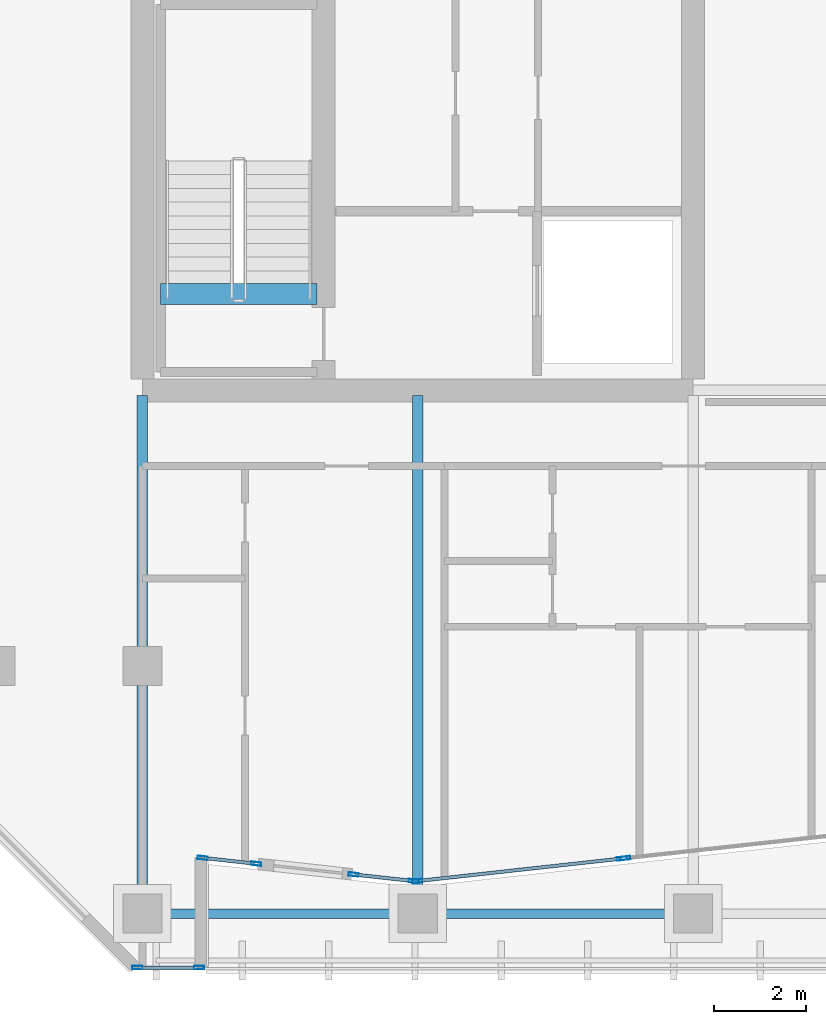
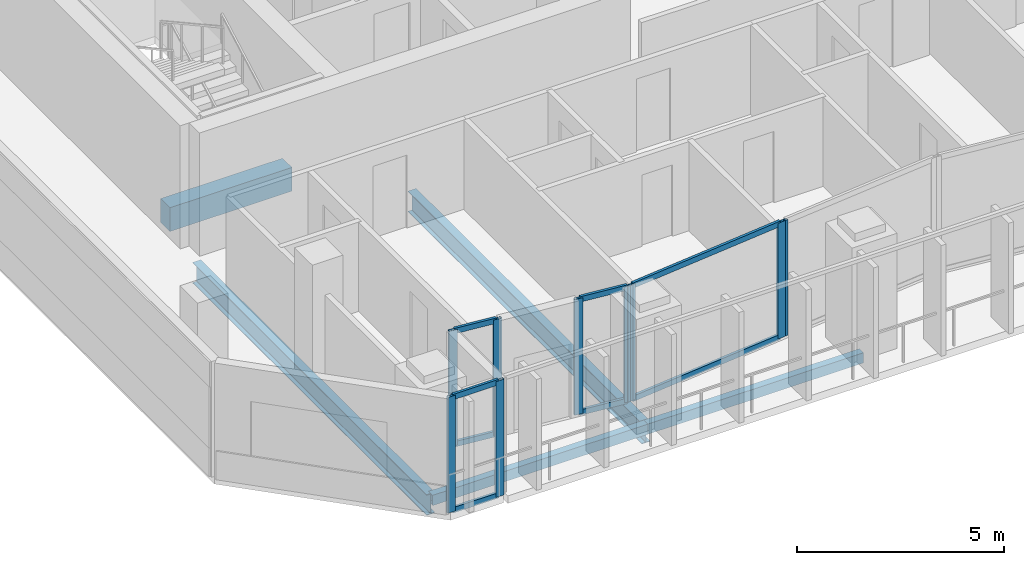
# One storey, part 2 of 28: 17 members, 5 beams, 5 elements without a shape of their own.
"""IFC4 building model written with IfcOpenShell, lengths in metres."""

from ifc_helpers import new_model, si_unit, direction, frame, origin, origin_2d, place, context, subcontext, project, spatial, rectangle, hollow_rectangle, i_section, extrude, material, layer, layer_set, material_profile, profile_set, type_object, element, aggregate, save


model = new_model("IFC4")

# Units and contexts
model_context = context("Model", 3, precision=1e-05, world=origin(), true_north=direction((0.0, 1.0)))
body_context = subcontext(model_context, "Body", "Model", "MODEL_VIEW")
ifc_project = project(units=[si_unit("LENGTHUNIT", "METRE"), si_unit("AREAUNIT", "SQUARE_METRE"), si_unit("VOLUMEUNIT", "CUBIC_METRE"), si_unit("PLANEANGLEUNIT", "RADIAN"), si_unit("MASSUNIT", "GRAM", prefix="KILO")], contexts=[model_context])

# Site, building, storey
site_placement = place(None, origin())
site = spatial("IfcSite", under=ifc_project, at=site_placement, CompositionType="ELEMENT")
building_placement = place(site_placement, origin())
building = spatial("IfcBuilding", under=site, at=building_placement, Name="Tanjung Sevakor Pilgrim Tower", CompositionType="ELEMENT")
storey_placement = place(building_placement, frame((0.0, 0.0, 158.39990234375)))
storey = spatial("IfcBuildingStorey", under=building, at=storey_placement, Name="L44", CompositionType="ELEMENT", Elevation=158.39990234375)

# Beams
ifc_material_1 = material(Name="Steel S355J2", Category="steel")
ifc_material_profile_1 = material_profile(ifc_material_1, i_section(OverallWidth=0.22900390625, OverallDepth=0.6123046875, WebThickness=0.011962890625, FlangeThickness=0.01953125, FilletRadius=0.0126953125, at=origin_2d()))
ifc_profile_set_1 = profile_set([ifc_material_profile_1], Name="Steel S355J2")
beam_type_1 = type_object("IfcBeamType", Name="BM-B-G4-UB_610x229x125", PredefinedType="BEAM", material=ifc_profile_set_1)
for number, where, z_axis, x_axis, name in (
    (1, (24.0, 13.199951171875, -0.526123046875), (0.0, 1.0, 0.0), (-1.0, 0.0, 0.0), "L44 MAIN Girder 001"),
    (2, (30.0, 13.199951171875, -0.526123046875), (0.0, 1.0, 0.0), (-1.0, 0.0, 0.0), "L44 MAIN Girder 003"),
):
    element("IfcBeam", number, at=place(storey_placement, frame(where, z_axis=z_axis, x_axis=x_axis)), inside=storey, type_object=beam_type_1, Name=name, PredefinedType="BEAM", context=body_context, shape_type="SweptSolid", body=[
        extrude(i_section(OverallWidth=0.22900390625, OverallDepth=0.6123046875, WebThickness=0.011962890625, FlangeThickness=0.01953125, FilletRadius=0.0126953125, at=origin_2d()), origin(), (0.0, 0.0, 1.0), 11.284912109375),
    ])
ifc_material_2 = material(Name="Concrete C60/75", Category="concrete")
ifc_material_profile_2 = material_profile(ifc_material_2, rectangle(XDim=0.449951171875, YDim=0.699951171875, at=origin_2d()))
ifc_profile_set_2 = profile_set([ifc_material_profile_2], Name="Concrete C60/75")
beam_type_2 = type_object("IfcBeamType", Name="BM-B-LN3-RC-BM_450x700", PredefinedType="LINTEL", material=ifc_profile_set_2)
beam_placement = place(storey_placement, frame((24.39990234375, 26.699951171875, -0.349853515625), z_axis=(1.0, 0.0, 0.0), x_axis=(0.0, 1.0, 0.0)))
element("IfcBeam", 3, at=beam_placement, inside=storey, type_object=beam_type_2, Name="L44 TS-W1 Stair Threshold Beam", PredefinedType="LINTEL", context=body_context, shape_type="SweptSolid", body=[
    extrude(rectangle(XDim=0.449951171875, YDim=0.699951171875, at=origin_2d()), origin(), (0.0, 0.0, 1.0), 3.400146484375),
])
ifc_material_3 = material(Name="Steel S355J2", Category="steel")
ifc_material_profile_3 = material_profile(ifc_material_3, hollow_rectangle(XDim=0.199951171875, YDim=0.300048828125, WallThickness=0.012451171875, at=origin_2d()))
ifc_profile_set_3 = profile_set([ifc_material_profile_3], Name="Steel S355J2")
beam_type_3 = type_object("IfcBeamType", Name="BM-B-SP3-RHS_300x200x12.5", PredefinedType="SPANDREL", material=ifc_profile_set_3)
for number, where, z_axis, x_axis, name in (
    (4, (24.0, 13.199951171875, -0.369873046875), (1.0, 0.0, 0.0), (0.0, 1.0, 0.0), "L44 Spandrel MAIN S-01"),
    (5, (30.0, 13.199951171875, -0.369873046875), (1.0, 0.0, 0.0), (0.0, 1.0, 0.0), "L44 Spandrel MAIN S-03"),
):
    element("IfcBeam", number, at=place(storey_placement, frame(where, z_axis=z_axis, x_axis=x_axis)), inside=storey, type_object=beam_type_3, Name=name, PredefinedType="SPANDREL", context=body_context, shape_type="SweptSolid", body=[
        extrude(hollow_rectangle(XDim=0.199951171875, YDim=0.300048828125, WallThickness=0.012451171875, at=origin_2d()), origin(), (0.0, 0.0, 1.0), 6.0),
    ])

# Curtain wall, members
ifc_material_4 = material(Name="Aluminium 6063-T6 and Low-E Glass", Category="aluminium")
ifc_layer = layer(ifc_material_4, 0.199951171875)
ifc_layer_set = layer_set([ifc_layer], Name="CW-SYS-PRAY")
curtain_wall_type = type_object("IfcCurtainWallType", Name="CW-SYS-PRAY", PredefinedType="NOTDEFINED", material=ifc_layer_set)
curtain_wall_1_placement = place(storey_placement, origin())
curtain_wall_1 = element("IfcCurtainWall", 6, at=curtain_wall_1_placement, inside=storey, type_object=curtain_wall_type, Name="L44 Curtain Wall CW-PRY-L44-0", PredefinedType="NOTDEFINED")
ifc_material_5 = material(Name="Aluminium 6063-T6", Category="aluminium")
ifc_material_profile_4 = material_profile(ifc_material_5, hollow_rectangle(XDim=0.074951171875, YDim=0.219970703125, WallThickness=0.0048828125, at=origin_2d()))
ifc_profile_set_4 = profile_set([ifc_material_profile_4], Name="Aluminium 6063-T6")
member_type_1 = type_object("IfcMemberType", Name="TYPE-CWM-2", PredefinedType="MULLION", material=ifc_profile_set_4)
member_1_placement = place(storey_placement, frame((23.889404296875, 12.02490234375, 0.0), z_axis=(0.0, 0.0, 1.0), x_axis=(0.0, 1.0, 0.0)))
member_1 = element("IfcMember", 7, at=member_1_placement, type_object=member_type_1, Name="CW-PRY mullion 1", PredefinedType="MULLION", context=body_context, shape_type="SweptSolid", body=[
    extrude(hollow_rectangle(XDim=0.074951171875, YDim=0.219970703125, WallThickness=0.0048828125, at=origin_2d()), origin(), (0.0, 0.0, 1.0), 3.41015625),
])
member_2_placement = place(storey_placement, frame((25.237548828125, 12.02490234375, 0.0), z_axis=(0.0, 0.0, 1.0), x_axis=(0.0, 1.0, 0.0)))
member_2 = element("IfcMember", 8, at=member_2_placement, type_object=member_type_1, Name="CW-PRY mullion 2", PredefinedType="MULLION", context=body_context, shape_type="SweptSolid", body=[
    extrude(hollow_rectangle(XDim=0.074951171875, YDim=0.219970703125, WallThickness=0.0048828125, at=origin_2d()), origin(), (0.0, 0.0, 1.0), 3.41015625),
])

curtain_wall_2_placement = place(storey_placement, origin())
curtain_wall_2 = element("IfcCurtainWall", 9, at=curtain_wall_2_placement, inside=storey, type_object=curtain_wall_type, Name="L44 Curtain Wall CW-PRY-L44-2A", PredefinedType="NOTDEFINED")
member_3_placement = place(storey_placement, frame((25.312255859375, 14.415283203125, 0.0), z_axis=(0.0, 0.0, 1.0), x_axis=(0.109202149119, 0.994019562498, 0.0)))
member_3 = element("IfcMember", 10, at=member_3_placement, type_object=member_type_1, Name="CW-PRY mullion 1", PredefinedType="MULLION", context=body_context, shape_type="SweptSolid", body=[
    extrude(hollow_rectangle(XDim=0.074951171875, YDim=0.219970703125, WallThickness=0.0048828125, at=origin_2d()), origin(), (0.0, 0.0, 1.0), 3.41015625),
])
member_4_placement = place(storey_placement, frame((26.480224609375, 14.287109375, 0.0), z_axis=(0.0, 0.0, 1.0), x_axis=(0.109202149119, 0.994019562498, 0.0)))
member_4 = element("IfcMember", 11, at=member_4_placement, type_object=member_type_1, Name="CW-PRY mullion 2", PredefinedType="MULLION", context=body_context, shape_type="SweptSolid", body=[
    extrude(hollow_rectangle(XDim=0.074951171875, YDim=0.219970703125, WallThickness=0.0048828125, at=origin_2d()), origin(), (0.0, 0.0, 1.0), 3.41015625),
])

curtain_wall_3_placement = place(storey_placement, origin())
curtain_wall_3 = element("IfcCurtainWall", 12, at=curtain_wall_3_placement, inside=storey, type_object=curtain_wall_type, Name="L44 Curtain Wall CW-PRY-L44-2B", PredefinedType="NOTDEFINED")
member_5_placement = place(storey_placement, frame((28.6025390625, 14.053955078125, 0.0), z_axis=(0.0, 0.0, 1.0), x_axis=(0.109249698291, 0.994014337635, 0.0)))
member_5 = element("IfcMember", 13, at=member_5_placement, type_object=member_type_1, Name="CW-PRY mullion 1", PredefinedType="MULLION", context=body_context, shape_type="SweptSolid", body=[
    extrude(hollow_rectangle(XDim=0.074951171875, YDim=0.219970703125, WallThickness=0.0048828125, at=origin_2d()), origin(), (0.0, 0.0, 1.0), 3.41015625),
])
member_6_placement = place(storey_placement, frame((29.912841796875, 13.909912109375, 0.0), z_axis=(0.0, 0.0, 1.0), x_axis=(0.109249698291, 0.994014337635, 0.0)))
member_6 = element("IfcMember", 14, at=member_6_placement, type_object=member_type_1, Name="CW-PRY mullion 2", PredefinedType="MULLION", context=body_context, shape_type="SweptSolid", body=[
    extrude(hollow_rectangle(XDim=0.074951171875, YDim=0.219970703125, WallThickness=0.0048828125, at=origin_2d()), origin(), (0.0, 0.0, 1.0), 3.41015625),
])

curtain_wall_4_placement = place(storey_placement, origin())
curtain_wall_4 = element("IfcCurtainWall", 15, at=curtain_wall_4_placement, inside=storey, type_object=curtain_wall_type, Name="L44 Curtain Wall CW-PRY-L44-3", PredefinedType="NOTDEFINED")
member_7_placement = place(storey_placement, frame((29.9873046875, 13.909912109375, 0.0), z_axis=(0.0, 0.0, 1.0), x_axis=(-0.109233741488, 0.994016091278, 0.0)))
member_7 = element("IfcMember", 16, at=member_7_placement, type_object=member_type_1, Name="CW-PRY mullion 1", PredefinedType="MULLION", context=body_context, shape_type="SweptSolid", body=[
    extrude(hollow_rectangle(XDim=0.074951171875, YDim=0.219970703125, WallThickness=0.0048828125, at=origin_2d()), origin(), (0.0, 0.0, 1.0), 3.41015625),
])
member_8_placement = place(storey_placement, frame((34.448974609375, 14.400146484375, 0.0), z_axis=(0.0, 0.0, 1.0), x_axis=(-0.109233741488, 0.994016091278, 0.0)))
member_8 = element("IfcMember", 17, at=member_8_placement, type_object=member_type_1, Name="CW-PRY mullion 2", PredefinedType="MULLION", context=body_context, shape_type="SweptSolid", body=[
    extrude(hollow_rectangle(XDim=0.074951171875, YDim=0.219970703125, WallThickness=0.0048828125, at=origin_2d()), origin(), (0.0, 0.0, 1.0), 3.41015625),
])

# Curtain wall, member
curtain_wall_5_placement = place(storey_placement, origin())
curtain_wall_5 = element("IfcCurtainWall", 18, at=curtain_wall_5_placement, inside=storey, type_object=curtain_wall_type, Name="L44 Curtain Wall CW-PRY-L44-4", PredefinedType="NOTDEFINED")
member_9_placement = place(storey_placement, frame((34.523681640625, 14.408447265625, 0.0), z_axis=(0.0, 0.0, 1.0), x_axis=(-0.109231369397, 0.994016351948, 0.0)))
member_9 = element("IfcMember", 19, at=member_9_placement, type_object=member_type_1, Name="CW-PRY mullion 1", PredefinedType="MULLION", context=body_context, shape_type="SweptSolid", body=[
    extrude(hollow_rectangle(XDim=0.074951171875, YDim=0.219970703125, WallThickness=0.0048828125, at=origin_2d()), origin(), (0.0, 0.0, 1.0), 3.41015625),
])
aggregate(curtain_wall_5, [member_9])

# Member
ifc_material_6 = material(Name="Aluminium 6063-T6", Category="aluminium")
ifc_material_profile_5 = material_profile(ifc_material_6, hollow_rectangle(XDim=0.074951171875, YDim=0.159912109375, WallThickness=0.00439453125, at=origin_2d()))
ifc_profile_set_5 = profile_set([ifc_material_profile_5], Name="Aluminium 6063-T6")
member_type_2 = type_object("IfcMemberType", Name="TYPE-CWT-2", PredefinedType="USERDEFINED", material=ifc_profile_set_5)
member_10_placement = place(storey_placement, frame((23.9267578125, 12.02490234375, 0.03759765625), z_axis=(1.0, 0.0, 0.0), x_axis=(0.0, 1.0, 0.0)))
member_10 = element("IfcMember", 20, at=member_10_placement, type_object=member_type_2, Name="CW-PRY transom 1.1", ObjectType="TRANSOM", PredefinedType="USERDEFINED", context=body_context, shape_type="SweptSolid", body=[
    extrude(hollow_rectangle(XDim=0.074951171875, YDim=0.159912109375, WallThickness=0.00439453125, at=origin_2d()), origin(), (0.0, 0.0, 1.0), 1.273193359375),
])

member_11_placement = place(storey_placement, frame((23.9267578125, 12.02490234375, 3.37255859375), z_axis=(1.0, 0.0, 0.0), x_axis=(0.0, 1.0, 0.0)))
member_11 = element("IfcMember", 21, at=member_11_placement, type_object=member_type_2, Name="CW-PRY transom 1.2", ObjectType="TRANSOM", PredefinedType="USERDEFINED", context=body_context, shape_type="SweptSolid", body=[
    extrude(hollow_rectangle(XDim=0.074951171875, YDim=0.159912109375, WallThickness=0.00439453125, at=origin_2d()), origin(), (0.0, 0.0, 1.0), 1.273193359375),
])

aggregate(curtain_wall_1, [member_1, member_2, member_10, member_11])

member_12_placement = place(storey_placement, frame((25.349609375, 14.411376953125, 0.03759765625), z_axis=(0.99401834069, -0.109213270125, 0.0), x_axis=(0.109213270125, 0.99401834069, 0.0)))
member_12 = element("IfcMember", 22, at=member_12_placement, type_object=member_type_2, Name="CW-PRY transom 1.1", ObjectType="TRANSOM", PredefinedType="USERDEFINED", context=body_context, shape_type="SweptSolid", body=[
    extrude(hollow_rectangle(XDim=0.074951171875, YDim=0.159912109375, WallThickness=0.00439453125, at=origin_2d()), origin(), (0.0, 0.0, 1.0), 1.099853515625),
])

member_13_placement = place(storey_placement, frame((25.349609375, 14.411376953125, 3.37255859375), z_axis=(0.99401834069, -0.109213270125, 0.0), x_axis=(0.109213270125, 0.99401834069, 0.0)))
member_13 = element("IfcMember", 23, at=member_13_placement, type_object=member_type_2, Name="CW-PRY transom 1.2", ObjectType="TRANSOM", PredefinedType="USERDEFINED", context=body_context, shape_type="SweptSolid", body=[
    extrude(hollow_rectangle(XDim=0.074951171875, YDim=0.159912109375, WallThickness=0.00439453125, at=origin_2d()), origin(), (0.0, 0.0, 1.0), 1.099853515625),
])

aggregate(curtain_wall_2, [member_3, member_4, member_12, member_13])

member_14_placement = place(storey_placement, frame((28.6396484375, 14.0498046875, 0.03759765625), z_axis=(0.994021843963, -0.109181379937, 0.0), x_axis=(0.109181379937, 0.994021843963, 0.0)))
member_14 = element("IfcMember", 24, at=member_14_placement, type_object=member_type_2, Name="CW-PRY transom 1.1", ObjectType="TRANSOM", PredefinedType="USERDEFINED", context=body_context, shape_type="SweptSolid", body=[
    extrude(hollow_rectangle(XDim=0.074951171875, YDim=0.159912109375, WallThickness=0.00439453125, at=origin_2d()), origin(), (0.0, 0.0, 1.0), 1.2431640625),
])

member_15_placement = place(storey_placement, frame((28.6396484375, 14.0498046875, 3.37255859375), z_axis=(0.994021843963, -0.109181379937, 0.0), x_axis=(0.109181379937, 0.994021843963, 0.0)))
member_15 = element("IfcMember", 25, at=member_15_placement, type_object=member_type_2, Name="CW-PRY transom 1.2", ObjectType="TRANSOM", PredefinedType="USERDEFINED", context=body_context, shape_type="SweptSolid", body=[
    extrude(hollow_rectangle(XDim=0.074951171875, YDim=0.159912109375, WallThickness=0.00439453125, at=origin_2d()), origin(), (0.0, 0.0, 1.0), 1.2431640625),
])

aggregate(curtain_wall_3, [member_5, member_6, member_14, member_15])

member_16_placement = place(storey_placement, frame((30.024658203125, 13.9140625, 0.03759765625), z_axis=(0.994020577292, 0.109192911495, 0.0), x_axis=(-0.109192911495, 0.994020577292, 0.0)))
member_16 = element("IfcMember", 26, at=member_16_placement, type_object=member_type_2, Name="CW-PRY transom 1.1", ObjectType="TRANSOM", PredefinedType="USERDEFINED", context=body_context, shape_type="SweptSolid", body=[
    extrude(hollow_rectangle(XDim=0.074951171875, YDim=0.159912109375, WallThickness=0.00439453125, at=origin_2d()), origin(), (0.0, 0.0, 1.0), 4.41357421875),
])

member_17_placement = place(storey_placement, frame((30.024658203125, 13.9140625, 3.37255859375), z_axis=(0.994020577292, 0.109192911495, 0.0), x_axis=(-0.109192911495, 0.994020577292, 0.0)))
member_17 = element("IfcMember", 27, at=member_17_placement, type_object=member_type_2, Name="CW-PRY transom 1.2", ObjectType="TRANSOM", PredefinedType="USERDEFINED", context=body_context, shape_type="SweptSolid", body=[
    extrude(hollow_rectangle(XDim=0.074951171875, YDim=0.159912109375, WallThickness=0.00439453125, at=origin_2d()), origin(), (0.0, 0.0, 1.0), 4.41357421875),
])

aggregate(curtain_wall_4, [member_7, member_8, member_16, member_17])

save(model, "model.ifc")
